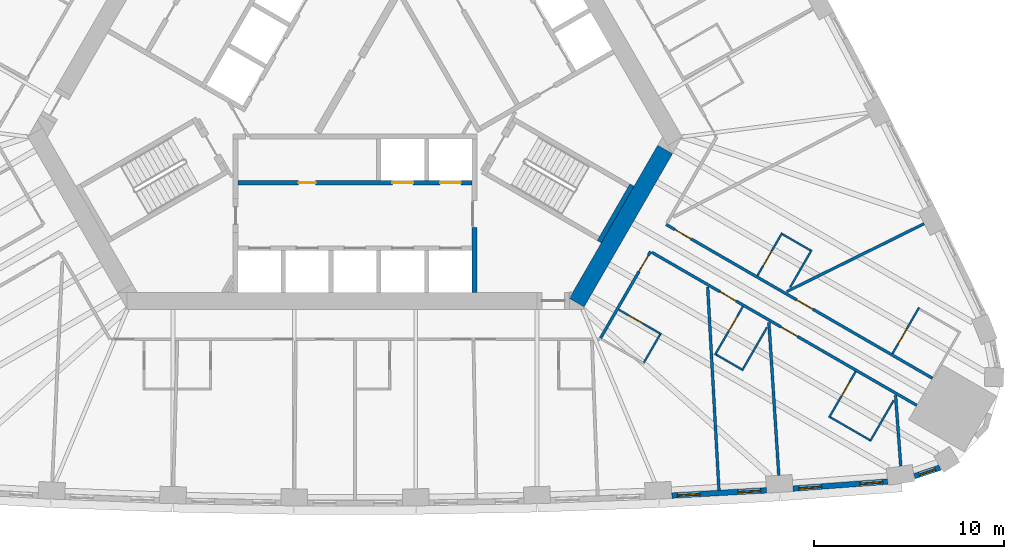
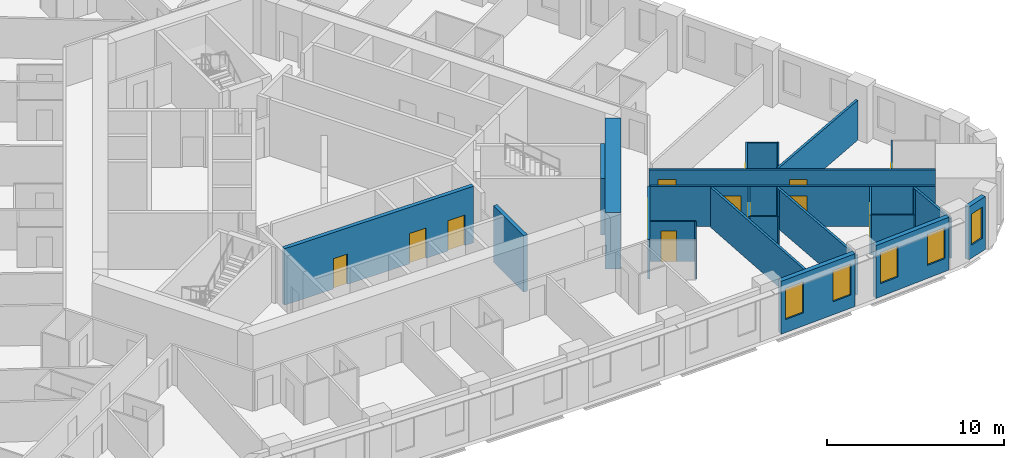
# One storey, part 7 of 13: 26 walls, 13 doors, 5 windows, 18 openings.
"""IFC4 building model written with IfcOpenShell, lengths in metres."""

from ifc_helpers import new_model, si_unit, direction, frame, frame_2d, origin, place, context, subcontext, project, spatial, rectangle, extrude, material, layer, layer_set, type_object, element, fill, save


model = new_model("IFC4")

# Units and contexts
model_context = context("Model", 3, precision=1e-05, world=origin(), true_north=direction((0.0, 1.0)))
body_context = subcontext(model_context, "Body", "Model", "MODEL_VIEW")
ifc_project = project(units=[si_unit("LENGTHUNIT", "METRE"), si_unit("AREAUNIT", "SQUARE_METRE"), si_unit("VOLUMEUNIT", "CUBIC_METRE"), si_unit("PLANEANGLEUNIT", "RADIAN"), si_unit("MASSUNIT", "GRAM", prefix="KILO")], contexts=[model_context])

# Site, building, storey
site_placement = place(None, origin())
site = spatial("IfcSite", under=ifc_project, at=site_placement, CompositionType="ELEMENT")
building_placement = place(site_placement, origin())
building = spatial("IfcBuilding", under=site, at=building_placement, Name="Mestral Congress Tower", CompositionType="ELEMENT")
storey_placement = place(building_placement, frame((0.0, 0.0, 35.39990234375)))
storey = spatial("IfcBuildingStorey", under=building, at=storey_placement, Name="L07", CompositionType="ELEMENT", Elevation=35.39990234375)

# Wall
ifc_material_1 = material(Name="Concrete C60/75", Category="concrete")
ifc_layer_1 = layer(ifc_material_1, 0.89990234375)
ifc_layer_set_1 = layer_set([ifc_layer_1], Name="Concrete C60/75")
wall_type_1 = type_object("IfcWallType", Name="Core wall RC 900", PredefinedType="SOLIDWALL", material=ifc_layer_set_1)
wall_1_placement = place(storey_placement, frame((11.69482421875, -12.643798828125, 0.0), z_axis=(0.0, 0.0, 1.0), x_axis=(0.500010229568, 0.86601949766, 0.0)))
element("IfcWall", 1, at=wall_1_placement, inside=storey, type_object=wall_type_1, Name="L07 core wall", PredefinedType="SOLIDWALL", context=body_context, shape_type="SweptSolid", body=[
    extrude(rectangle(XDim=9.326416015625, YDim=0.89990234375, at=frame_2d((4.6630859375, 0.0))), origin(), (0.0, 0.0, 1.0), 3.900146484375),
])

# Wall, openings, windows
ifc_material_2 = material(Name="Precast concrete C40/50 with limestone facing", Category="masonry")
ifc_layer_2 = layer(ifc_material_2, 0.2900390625)
ifc_layer_set_2 = layer_set([ifc_layer_2], Name="Precast concrete C40/50 with limestone facing")
wall_type_2 = type_object("IfcWallType", Name="Facade stone wall 290", PredefinedType="SOLIDWALL", material=ifc_layer_set_2)
wall_2_placement = place(storey_placement, frame((16.7109375, -22.823974609375, 0.0), z_axis=(0.0, 0.0, 1.0), x_axis=(0.998464708705, 0.055391564976, 0.0)))
wall_2 = element("IfcWall", 2, at=wall_2_placement, inside=storey, type_object=wall_type_2, Name="Facade wall F0-07", PredefinedType="SOLIDWALL", context=body_context, shape_type="SweptSolid", body=[
    extrude(rectangle(XDim=4.998046875, YDim=0.2900390625, at=frame_2d((2.4990234375, 0.0))), origin(), (0.0, 0.0, 1.0), 3.650146484375),
])
opening_1_placement = place(wall_2_placement, frame((0.297119140625, 0.0, 0.89990234375)))
opening_1 = element("IfcOpeningElement", 3, at=opening_1_placement, cuts=wall_2, Name="Opening W1", PredefinedType="OPENING", context=body_context, shape_type="SweptSolid", body=[
    extrude(rectangle(XDim=1.199951171875, YDim=2.14990234375, at=frame_2d((0.60009765625, 1.074951171875))), frame((0.0, 0.155029296875, 0.0), z_axis=(0.0, -1.0, 0.0), x_axis=(1.0, 0.0, 0.0)), (0.0, 0.0, 1.0), 0.31005859375),
])
opening_2_placement = place(wall_2_placement, frame((3.501220703125, 0.0, 0.89990234375)))
opening_2 = element("IfcOpeningElement", 4, at=opening_2_placement, cuts=wall_2, Name="Opening W1", PredefinedType="OPENING", context=body_context, shape_type="SweptSolid", body=[
    extrude(rectangle(XDim=1.199951171875, YDim=2.14990234375, at=frame_2d((0.60009765625, 1.074951171875))), frame((0.0, 0.155029296875, 0.0), z_axis=(0.0, -1.0, 0.0), x_axis=(1.0, 0.0, 0.0)), (0.0, 0.0, 1.0), 0.31005859375),
])
ifc_material_3 = material(Name="Clear low-emissivity double glazing", Category="glass")
window_type_1 = type_object("IfcWindowType", Name="Facade punched window 1200 x 2150 sill 900", PartitioningType="DOUBLE_PANEL_VERTICAL", PredefinedType="WINDOW", material=ifc_material_3)
window_1_placement = place(opening_1_placement, origin())
window_1 = element("IfcWindow", 5, at=window_1_placement, inside=storey, type_object=window_type_1, Name="Window F0-07a", OverallHeight=2.14990234375, OverallWidth=1.199951171875, PartitioningType="DOUBLE_PANEL_VERTICAL", PredefinedType="WINDOW", context=body_context, shape_type="SweptSolid", body=[
    extrude(rectangle(XDim=1.199951171875, YDim=2.14990234375, at=frame_2d((0.60009765625, 1.074951171875))), frame((0.0, 0.01513671875, 0.0), z_axis=(0.0, -1.0, 0.0), x_axis=(1.0, 0.0, 0.0)), (0.0, 0.0, 1.0), 0.06005859375),
])
fill(opening_1, window_1)
window_2_placement = place(opening_2_placement, origin())
window_2 = element("IfcWindow", 6, at=window_2_placement, inside=storey, type_object=window_type_1, Name="Window F0-07b", OverallHeight=2.14990234375, OverallWidth=1.199951171875, PartitioningType="DOUBLE_PANEL_VERTICAL", PredefinedType="WINDOW", context=body_context, shape_type="SweptSolid", body=[
    extrude(rectangle(XDim=1.199951171875, YDim=2.14990234375, at=frame_2d((0.60009765625, 1.074951171875))), frame((0.0, 0.01513671875, 0.0), z_axis=(0.0, -1.0, 0.0), x_axis=(1.0, 0.0, 0.0)), (0.0, 0.0, 1.0), 0.06005859375),
])
fill(opening_2, window_2)

wall_3_placement = place(storey_placement, frame((23.10595703125, -22.4560546875, 0.0), z_axis=(0.0, 0.0, 1.0), x_axis=(0.997266290399, 0.073891447643, 0.0)))
wall_3 = element("IfcWall", 7, at=wall_3_placement, inside=storey, type_object=wall_type_2, Name="Facade wall F0-08", PredefinedType="SOLIDWALL", context=body_context, shape_type="SweptSolid", body=[
    extrude(rectangle(XDim=5.005615234375, YDim=0.2900390625, at=frame_2d((2.5029296875, 0.0))), origin(), (0.0, 0.0, 1.0), 3.650146484375),
])
opening_3_placement = place(wall_3_placement, frame((0.31005859375, 0.0, 0.89990234375)))
opening_3 = element("IfcOpeningElement", 8, at=opening_3_placement, cuts=wall_3, Name="Opening W1", PredefinedType="OPENING", context=body_context, shape_type="SweptSolid", body=[
    extrude(rectangle(XDim=1.199951171875, YDim=2.14990234375, at=frame_2d((0.60009765625, 1.074951171875))), frame((0.0, 0.155029296875, 0.0), z_axis=(0.0, -1.0, 0.0), x_axis=(1.0, 0.0, 0.0)), (0.0, 0.0, 1.0), 0.31005859375),
])
opening_4_placement = place(wall_3_placement, frame((3.540283203125, 0.0, 0.89990234375)))
opening_4 = element("IfcOpeningElement", 9, at=opening_4_placement, cuts=wall_3, Name="Opening W1", PredefinedType="OPENING", context=body_context, shape_type="SweptSolid", body=[
    extrude(rectangle(XDim=1.199951171875, YDim=2.14990234375, at=frame_2d((0.60009765625, 1.074951171875))), frame((0.0, 0.155029296875, 0.0), z_axis=(0.0, -1.0, 0.0), x_axis=(1.0, 0.0, 0.0)), (0.0, 0.0, 1.0), 0.31005859375),
])
window_3_placement = place(opening_3_placement, origin())
window_3 = element("IfcWindow", 10, at=window_3_placement, inside=storey, type_object=window_type_1, Name="Window F0-08a", OverallHeight=2.14990234375, OverallWidth=1.199951171875, PartitioningType="DOUBLE_PANEL_VERTICAL", PredefinedType="WINDOW", context=body_context, shape_type="SweptSolid", body=[
    extrude(rectangle(XDim=1.199951171875, YDim=2.14990234375, at=frame_2d((0.60009765625, 1.074951171875))), frame((0.0, 0.01513671875, 0.0), z_axis=(0.0, -1.0, 0.0), x_axis=(1.0, 0.0, 0.0)), (0.0, 0.0, 1.0), 0.06005859375),
])
fill(opening_3, window_3)
window_4_placement = place(opening_4_placement, origin())
window_4 = element("IfcWindow", 11, at=window_4_placement, inside=storey, type_object=window_type_1, Name="Window F0-08b", OverallHeight=2.14990234375, OverallWidth=1.199951171875, PartitioningType="DOUBLE_PANEL_VERTICAL", PredefinedType="WINDOW", context=body_context, shape_type="SweptSolid", body=[
    extrude(rectangle(XDim=1.199951171875, YDim=2.14990234375, at=frame_2d((0.60009765625, 1.074951171875))), frame((0.0, 0.01513671875, 0.0), z_axis=(0.0, -1.0, 0.0), x_axis=(1.0, 0.0, 0.0)), (0.0, 0.0, 1.0), 0.06005859375),
])
fill(opening_4, window_4)

# Wall, opening, window
wall_4_placement = place(storey_placement, frame((29.51171875, -21.80224609375, 0.0), z_axis=(0.0, 0.0, 1.0), x_axis=(0.947903891592, 0.318556450734, 0.0)))
wall_4 = element("IfcWall", 12, at=wall_4_placement, inside=storey, type_object=wall_type_2, Name="Facade wall K0-0", PredefinedType="SOLIDWALL", context=body_context, shape_type="SweptSolid", body=[
    extrude(rectangle(XDim=1.414794921875, YDim=0.2900390625, at=frame_2d((0.70751953125, 0.0))), origin(), (0.0, 0.0, 1.0), 3.650146484375),
])
opening_5_placement = place(wall_4_placement, frame((0.25732421875, 0.0, 0.89990234375)))
opening_5 = element("IfcOpeningElement", 13, at=opening_5_placement, cuts=wall_4, Name="Opening W3", PredefinedType="OPENING", context=body_context, shape_type="SweptSolid", body=[
    extrude(rectangle(XDim=0.89990234375, YDim=2.14990234375, at=frame_2d((0.449951171875, 1.074951171875))), frame((0.0, 0.155029296875, 0.0), z_axis=(0.0, -1.0, 0.0), x_axis=(1.0, 0.0, 0.0)), (0.0, 0.0, 1.0), 0.31005859375),
])
window_type_2 = type_object("IfcWindowType", Name="Facade punched window 900 x 2150 sill 900", PartitioningType="SINGLE_PANEL", PredefinedType="WINDOW", material=ifc_material_3)
window_5_placement = place(opening_5_placement, origin())
window_5 = element("IfcWindow", 14, at=window_5_placement, inside=storey, type_object=window_type_2, Name="Window K0-0", OverallHeight=2.14990234375, OverallWidth=0.89990234375, PartitioningType="SINGLE_PANEL", PredefinedType="WINDOW", context=body_context, shape_type="SweptSolid", body=[
    extrude(rectangle(XDim=0.89990234375, YDim=2.14990234375, at=frame_2d((0.449951171875, 1.074951171875))), frame((0.0, 0.01513671875, 0.0), z_axis=(0.0, -1.0, 0.0), x_axis=(1.0, 0.0, 0.0)), (0.0, 0.0, 1.0), 0.06005859375),
])
fill(opening_5, window_5)

# Wall, opening, door
ifc_material_4 = material(Name="Gypsum board partition on metal studs with mineral wool", Category="composite")
ifc_layer_3 = layer(ifc_material_4, 0.10009765625)
ifc_layer_set_3 = layer_set([ifc_layer_3], Name="Gypsum board partition on metal studs with mineral wool")
wall_type_3 = type_object("IfcWallType", Name="Hotel partition wall 100", PredefinedType="PARTITIONING", material=ifc_layer_set_3)
wall_5_placement = place(storey_placement, frame((16.159912109375, -14.310302734375, 0.0), z_axis=(0.0, 0.0, 1.0), x_axis=(-0.866062058628, 0.499936506574, 0.0)))
wall_5 = element("IfcWall", 15, at=wall_5_placement, inside=storey, type_object=wall_type_3, Name="L07-h-pod08a", PredefinedType="PARTITIONING", context=body_context, shape_type="SweptSolid", body=[
    extrude(rectangle(XDim=2.599853515625, YDim=0.10009765625, at=frame_2d((1.2998046875, 0.0))), origin(), (0.0, 0.0, 1.0), 2.75),
])
opening_6_placement = place(wall_5_placement, frame((1.10009765625, 0.0, 0.0)))
opening_6 = element("IfcOpeningElement", 16, at=opening_6_placement, cuts=wall_5, Name="Opening H01-015", PredefinedType="OPENING", context=body_context, shape_type="SweptSolid", body=[
    extrude(rectangle(XDim=0.89990234375, YDim=2.10009765625, at=frame_2d((0.449951171875, 1.050048828125))), frame((0.0, 0.06005859375, 0.0), z_axis=(0.0, -1.0, 0.0), x_axis=(1.0, 0.0, 0.0)), (0.0, 0.0, 1.0), 0.1201171875),
])
ifc_material_5 = material(Name="Timber veneer door leaf in timber frame", Category="wood")
door_type_1 = type_object("IfcDoorType", Name="Bathroom door 900", OperationType="SINGLE_SWING_LEFT", PredefinedType="DOOR", material=ifc_material_5)
door_1_placement = place(opening_6_placement, origin())
door_1 = element("IfcDoor", 17, at=door_1_placement, inside=storey, type_object=door_type_1, Name="L07-h-d015", OperationType="SINGLE_SWING_LEFT", OverallHeight=2.10009765625, OverallWidth=0.89990234375, PredefinedType="DOOR", context=body_context, shape_type="SweptSolid", body=[
    extrude(rectangle(XDim=0.89990234375, YDim=2.10009765625, at=frame_2d((0.449951171875, 1.050048828125))), frame((0.0, 0.02490234375, 0.0), z_axis=(0.0, -1.0, 0.0), x_axis=(1.0, 0.0, 0.0)), (0.0, 0.0, 1.0), 0.050048828125),
])
fill(opening_6, door_1)

# Wall
wall_6_placement = place(storey_placement, frame((16.091552734375, -14.32861328125, 0.0), z_axis=(0.0, 0.0, 1.0), x_axis=(-0.500062241894, -0.865989465428, 0.0)))
element("IfcWall", 18, at=wall_6_placement, inside=storey, type_object=wall_type_3, Name="L07-h-pod08b", PredefinedType="PARTITIONING", context=body_context, shape_type="SweptSolid", body=[
    extrude(rectangle(XDim=1.699951171875, YDim=0.10009765625, at=frame_2d((0.85009765625, 0.0))), origin(), (0.0, 0.0, 1.0), 2.75),
])

# Wall, opening, door
wall_7_placement = place(storey_placement, frame((20.4609375, -12.852294921875, 0.0), z_axis=(0.0, 0.0, 1.0), x_axis=(-0.49997559174, -0.866039495442, 0.0)))
wall_7 = element("IfcWall", 19, at=wall_7_placement, inside=storey, type_object=wall_type_3, Name="L07-h-pod09a", PredefinedType="PARTITIONING", context=body_context, shape_type="SweptSolid", body=[
    extrude(rectangle(XDim=2.949951171875, YDim=0.10009765625, at=frame_2d((1.47509765625, 0.0))), origin(), (0.0, 0.0, 1.0), 2.75),
])
opening_7_placement = place(wall_7_placement, frame((0.60009765625, 0.0, 0.0)))
opening_7 = element("IfcOpeningElement", 20, at=opening_7_placement, cuts=wall_7, Name="Opening H01-017", PredefinedType="OPENING", context=body_context, shape_type="SweptSolid", body=[
    extrude(rectangle(XDim=0.89990234375, YDim=2.10009765625, at=frame_2d((0.449951171875, 1.050048828125))), frame((0.0, 0.06005859375, 0.0), z_axis=(0.0, -1.0, 0.0), x_axis=(1.0, 0.0, 0.0)), (0.0, 0.0, 1.0), 0.1201171875),
])
door_2_placement = place(opening_7_placement, origin())
door_2 = element("IfcDoor", 21, at=door_2_placement, inside=storey, type_object=door_type_1, Name="L07-h-d017", OperationType="SINGLE_SWING_RIGHT", OverallHeight=2.10009765625, OverallWidth=0.89990234375, PredefinedType="DOOR", context=body_context, shape_type="SweptSolid", body=[
    extrude(rectangle(XDim=0.89990234375, YDim=2.10009765625, at=frame_2d((0.449951171875, 1.050048828125))), frame((0.0, 0.02490234375, 0.0), z_axis=(0.0, -1.0, 0.0), x_axis=(1.0, 0.0, 0.0)), (0.0, 0.0, 1.0), 0.050048828125),
])
fill(opening_7, door_2)

# Walls
wall_8_placement = place(storey_placement, frame((19.05419921875, -15.388916015625, 0.0), z_axis=(0.0, 0.0, 1.0), x_axis=(0.866043940782, -0.499967891604, 0.0)))
element("IfcWall", 22, at=wall_8_placement, inside=storey, type_object=wall_type_3, Name="L07-h-pod09b", PredefinedType="PARTITIONING", context=body_context, shape_type="SweptSolid", body=[
    extrude(rectangle(XDim=1.5498046875, YDim=0.10009765625, at=frame_2d((0.77490234375, 0.0))), origin(), (0.0, 0.0, 1.0), 2.75),
])
wall_9_placement = place(storey_placement, frame((21.73486328125, -13.94580078125, 0.0), z_axis=(0.0, 0.0, 1.0), x_axis=(-0.500007957085, -0.86602080971, 0.0)))
element("IfcWall", 23, at=wall_9_placement, inside=storey, type_object=wall_type_3, Name="L07-h-pod09c", PredefinedType="PARTITIONING", context=body_context, shape_type="SweptSolid", body=[
    extrude(rectangle(XDim=2.64013671875, YDim=0.10009765625, at=frame_2d((1.320068359375, 0.0))), origin(), (0.0, 0.0, 1.0), 2.75),
])

# Wall, opening, door
wall_10_placement = place(storey_placement, frame((26.40478515625, -16.2841796875, 0.0), z_axis=(0.0, 0.0, 1.0), x_axis=(-0.49998411664, -0.866034573852, 0.0)))
wall_10 = element("IfcWall", 24, at=wall_10_placement, inside=storey, type_object=wall_type_3, Name="L07-h-pod10a", PredefinedType="PARTITIONING", context=body_context, shape_type="SweptSolid", body=[
    extrude(rectangle(XDim=2.7998046875, YDim=0.10009765625, at=frame_2d((1.39990234375, 0.0))), origin(), (0.0, 0.0, 1.0), 2.75),
])
opening_8_placement = place(wall_10_placement, frame((0.60009765625, 0.0, 0.0)))
opening_8 = element("IfcOpeningElement", 25, at=opening_8_placement, cuts=wall_10, Name="Opening H01-019", PredefinedType="OPENING", context=body_context, shape_type="SweptSolid", body=[
    extrude(rectangle(XDim=0.89990234375, YDim=2.10009765625, at=frame_2d((0.449951171875, 1.050048828125))), frame((0.0, 0.06005859375, 0.0), z_axis=(0.0, -1.0, 0.0), x_axis=(1.0, 0.0, 0.0)), (0.0, 0.0, 1.0), 0.1201171875),
])
door_3_placement = place(opening_8_placement, origin())
door_3 = element("IfcDoor", 26, at=door_3_placement, inside=storey, type_object=door_type_1, Name="L07-h-d019", OperationType="SINGLE_SWING_LEFT", OverallHeight=2.10009765625, OverallWidth=0.89990234375, PredefinedType="DOOR", context=body_context, shape_type="SweptSolid", body=[
    extrude(rectangle(XDim=0.89990234375, YDim=2.10009765625, at=frame_2d((0.449951171875, 1.050048828125))), frame((0.0, 0.02490234375, 0.0), z_axis=(0.0, -1.0, 0.0), x_axis=(1.0, 0.0, 0.0)), (0.0, 0.0, 1.0), 0.050048828125),
])
fill(opening_8, door_3)

# Walls
wall_11_placement = place(storey_placement, frame((25.0732421875, -18.690673828125, 0.0), z_axis=(0.0, 0.0, 1.0), x_axis=(0.866024647952, -0.500001309137, 0.0)))
element("IfcWall", 27, at=wall_11_placement, inside=storey, type_object=wall_type_3, Name="L07-h-pod10b", PredefinedType="PARTITIONING", context=body_context, shape_type="SweptSolid", body=[
    extrude(rectangle(XDim=2.39990234375, YDim=0.10009765625, at=frame_2d((1.199951171875, 0.0))), origin(), (0.0, 0.0, 1.0), 2.75),
])
wall_12_placement = place(storey_placement, frame((28.414794921875, -17.802490234375, 0.0), z_axis=(0.0, 0.0, 1.0), x_axis=(-0.499945955465, -0.866056604163, 0.0)))
element("IfcWall", 28, at=wall_12_placement, inside=storey, type_object=wall_type_3, Name="L07-h-pod10c", PredefinedType="PARTITIONING", context=body_context, shape_type="SweptSolid", body=[
    extrude(rectangle(XDim=2.489990234375, YDim=0.10009765625, at=frame_2d((1.2451171875, 0.0))), origin(), (0.0, 0.0, 1.0), 2.75),
])

# Wall, opening, door
wall_13_placement = place(storey_placement, frame((29.75244140625, -12.9052734375, 0.0), z_axis=(0.0, 0.0, 1.0), x_axis=(-0.500049511043, -0.865996816683, 0.0)))
wall_13 = element("IfcWall", 29, at=wall_13_placement, inside=storey, type_object=wall_type_3, Name="L07-h-pod11a", PredefinedType="PARTITIONING", context=body_context, shape_type="SweptSolid", body=[
    extrude(rectangle(XDim=2.800048828125, YDim=0.10009765625, at=frame_2d((1.39990234375, 0.0))), origin(), (0.0, 0.0, 1.0), 2.75),
])
opening_9_placement = place(wall_13_placement, frame((1.300048828125, 0.0, 0.0)))
opening_9 = element("IfcOpeningElement", 30, at=opening_9_placement, cuts=wall_13, Name="Opening H01-021", PredefinedType="OPENING", context=body_context, shape_type="SweptSolid", body=[
    extrude(rectangle(XDim=0.89990234375, YDim=2.10009765625, at=frame_2d((0.449951171875, 1.050048828125))), frame((0.0, 0.06005859375, 0.0), z_axis=(0.0, -1.0, 0.0), x_axis=(1.0, 0.0, 0.0)), (0.0, 0.0, 1.0), 0.1201171875),
])
door_4_placement = place(opening_9_placement, origin())
door_4 = element("IfcDoor", 31, at=door_4_placement, inside=storey, type_object=door_type_1, Name="L07-h-d021", OperationType="SINGLE_SWING_LEFT", OverallHeight=2.10009765625, OverallWidth=0.89990234375, PredefinedType="DOOR", context=body_context, shape_type="SweptSolid", body=[
    extrude(rectangle(XDim=0.89990234375, YDim=2.10009765625, at=frame_2d((0.449951171875, 1.050048828125))), frame((0.0, 0.02490234375, 0.0), z_axis=(0.0, -1.0, 0.0), x_axis=(1.0, 0.0, 0.0)), (0.0, 0.0, 1.0), 0.050048828125),
])
fill(opening_9, door_4)

wall_14_placement = place(storey_placement, frame((22.5302734375, -8.96630859375, 0.0), z_axis=(0.0, 0.0, 1.0), x_axis=(-0.500006934395, -0.866021400173, 0.0)))
wall_14 = element("IfcWall", 32, at=wall_14_placement, inside=storey, type_object=wall_type_3, Name="L07-h-pod12a", PredefinedType="PARTITIONING", context=body_context, shape_type="SweptSolid", body=[
    extrude(rectangle(XDim=2.60009765625, YDim=0.10009765625, at=frame_2d((1.300048828125, 0.0))), origin(), (0.0, 0.0, 1.0), 2.75),
])
opening_10_placement = place(wall_14_placement, frame((1.10009765625, 0.0, 0.0)))
opening_10 = element("IfcOpeningElement", 33, at=opening_10_placement, cuts=wall_14, Name="Opening H01-023", PredefinedType="OPENING", context=body_context, shape_type="SweptSolid", body=[
    extrude(rectangle(XDim=0.89990234375, YDim=2.10009765625, at=frame_2d((0.449951171875, 1.050048828125))), frame((0.0, 0.06005859375, 0.0), z_axis=(0.0, -1.0, 0.0), x_axis=(1.0, 0.0, 0.0)), (0.0, 0.0, 1.0), 0.1201171875),
])
door_5_placement = place(opening_10_placement, origin())
door_5 = element("IfcDoor", 34, at=door_5_placement, inside=storey, type_object=door_type_1, Name="L07-h-d023", OperationType="SINGLE_SWING_RIGHT", OverallHeight=2.10009765625, OverallWidth=0.89990234375, PredefinedType="DOOR", context=body_context, shape_type="SweptSolid", body=[
    extrude(rectangle(XDim=0.89990234375, YDim=2.10009765625, at=frame_2d((0.449951171875, 1.050048828125))), frame((0.0, 0.02490234375, 0.0), z_axis=(0.0, -1.0, 0.0), x_axis=(1.0, 0.0, 0.0)), (0.0, 0.0, 1.0), 0.050048828125),
])
fill(opening_10, door_5)

# Walls
wall_15_placement = place(storey_placement, frame((22.548583984375, -9.03466796875, 0.0), z_axis=(0.0, 0.0, 1.0), x_axis=(0.86605165483, -0.499954529098, 0.0)))
element("IfcWall", 35, at=wall_15_placement, inside=storey, type_object=wall_type_3, Name="L07-h-pod12b", PredefinedType="PARTITIONING", context=body_context, shape_type="SweptSolid", body=[
    extrude(rectangle(XDim=1.699951171875, YDim=0.10009765625, at=frame_2d((0.85009765625, 0.0))), origin(), (0.0, 0.0, 1.0), 2.75),
])
wall_16_placement = place(storey_placement, frame((22.944091796875, -11.849609375, 0.0), z_axis=(0.0, 0.0, 1.0), x_axis=(0.499968531483, 0.866043571379, 0.0)))
element("IfcWall", 36, at=wall_16_placement, inside=storey, type_object=wall_type_3, Name="L07-h-pod12c", PredefinedType="PARTITIONING", context=body_context, shape_type="SweptSolid", body=[
    extrude(rectangle(XDim=2.290283203125, YDim=0.10009765625, at=frame_2d((1.14501953125, 0.0))), origin(), (0.0, 0.0, 1.0), 2.75),
])

# Wall, openings, doors
ifc_layer_4 = layer(ifc_material_4, 0.14990234375)
ifc_layer_set_4 = layer_set([ifc_layer_4], Name="Gypsum board partition on metal studs with mineral wool")
wall_type_4 = type_object("IfcWallType", Name="Hotel partition wall 150", PredefinedType="PARTITIONING", material=ifc_layer_set_4)
wall_17_placement = place(storey_placement, frame((16.412353515625, -8.52294921875, 0.0), z_axis=(0.0, 0.0, 1.0), x_axis=(0.866022197818, -0.500005552856, 0.0)))
wall_17 = element("IfcWall", 37, at=wall_17_placement, inside=storey, type_object=wall_type_4, Name="L07-h-cw01", PredefinedType="PARTITIONING", context=body_context, shape_type="SweptSolid", body=[
    extrude(rectangle(XDim=16.223876953125, YDim=0.14990234375, at=frame_2d((8.11181640625, 0.0))), origin(), (0.0, 0.0, 1.0), 2.75),
])
opening_11_placement = place(wall_17_placement, frame((7.94921875, 0.0, 0.0)))
opening_11 = element("IfcOpeningElement", 38, at=opening_11_placement, cuts=wall_17, Name="Opening H01-020", PredefinedType="OPENING", context=body_context, shape_type="SweptSolid", body=[
    extrude(rectangle(XDim=1.0, YDim=2.10009765625, at=frame_2d((0.5, 1.050048828125))), frame((0.0, 0.0849609375, 0.0), z_axis=(0.0, -1.0, 0.0), x_axis=(1.0, 0.0, 0.0)), (0.0, 0.0, 1.0), 0.169921875),
])
opening_12_placement = place(wall_17_placement, frame((0.526123046875, 0.0, 0.0)))
opening_12 = element("IfcOpeningElement", 39, at=opening_12_placement, cuts=wall_17, Name="Opening H01-022", PredefinedType="OPENING", context=body_context, shape_type="SweptSolid", body=[
    extrude(rectangle(XDim=1.0, YDim=2.10009765625, at=frame_2d((0.5, 1.050048828125))), frame((0.0, 0.0849609375, 0.0), z_axis=(0.0, -1.0, 0.0), x_axis=(1.0, 0.0, 0.0)), (0.0, 0.0, 1.0), 0.169921875),
])
ifc_material_6 = material(Name="Timber veneer door leaf in metal frame", Category="wood")
door_type_2 = type_object("IfcDoorType", Name="Guest room entrance door 1000", OperationType="SINGLE_SWING_LEFT", PredefinedType="DOOR", material=ifc_material_6)
door_6_placement = place(opening_11_placement, origin())
door_6 = element("IfcDoor", 40, at=door_6_placement, inside=storey, type_object=door_type_2, Name="L07-h-d020", OperationType="SINGLE_SWING_LEFT", OverallHeight=2.10009765625, OverallWidth=1.0, PredefinedType="DOOR", context=body_context, shape_type="SweptSolid", body=[
    extrude(rectangle(XDim=1.0, YDim=2.10009765625, at=frame_2d((0.5, 1.050048828125))), frame((0.0, 0.02490234375, 0.0), z_axis=(0.0, -1.0, 0.0), x_axis=(1.0, 0.0, 0.0)), (0.0, 0.0, 1.0), 0.050048828125),
])
fill(opening_11, door_6)
door_7_placement = place(opening_12_placement, origin())
door_7 = element("IfcDoor", 41, at=door_7_placement, inside=storey, type_object=door_type_2, Name="L07-h-d022", OperationType="SINGLE_SWING_LEFT", OverallHeight=2.10009765625, OverallWidth=1.0, PredefinedType="DOOR", context=body_context, shape_type="SweptSolid", body=[
    extrude(rectangle(XDim=1.0, YDim=2.10009765625, at=frame_2d((0.5, 1.050048828125))), frame((0.0, 0.02490234375, 0.0), z_axis=(0.0, -1.0, 0.0), x_axis=(1.0, 0.0, 0.0)), (0.0, 0.0, 1.0), 0.050048828125),
])
fill(opening_12, door_7)

# Wall, opening, door
wall_18_placement = place(storey_placement, frame((15.58740234375, -9.951904296875, 0.0), z_axis=(0.0, 0.0, 1.0), x_axis=(-0.500016618951, -0.866015808616, 0.0)))
wall_18 = element("IfcWall", 42, at=wall_18_placement, inside=storey, type_object=wall_type_4, Name="L07-h-cw14", PredefinedType="PARTITIONING", context=body_context, shape_type="SweptSolid", body=[
    extrude(rectangle(XDim=5.268310546875, YDim=0.14990234375, at=frame_2d((2.63427734375, 0.0))), origin(), (0.0, 0.0, 1.0), 2.75),
])
opening_13_placement = place(wall_18_placement, frame((0.225341796875, 0.0, 0.0)))
opening_13 = element("IfcOpeningElement", 43, at=opening_13_placement, cuts=wall_18, Name="Opening H01-014", PredefinedType="OPENING", context=body_context, shape_type="SweptSolid", body=[
    extrude(rectangle(XDim=1.0, YDim=2.10009765625, at=frame_2d((0.5, 1.050048828125))), frame((0.0, 0.0849609375, 0.0), z_axis=(0.0, -1.0, 0.0), x_axis=(1.0, 0.0, 0.0)), (0.0, 0.0, 1.0), 0.169921875),
])
door_8_placement = place(opening_13_placement, origin())
door_8 = element("IfcDoor", 44, at=door_8_placement, inside=storey, type_object=door_type_2, Name="L07-h-d014", OperationType="SINGLE_SWING_LEFT", OverallHeight=2.10009765625, OverallWidth=1.0, PredefinedType="DOOR", context=body_context, shape_type="SweptSolid", body=[
    extrude(rectangle(XDim=1.0, YDim=2.10009765625, at=frame_2d((0.5, 1.050048828125))), frame((0.0, 0.02490234375, 0.0), z_axis=(0.0, -1.0, 0.0), x_axis=(1.0, 0.0, 0.0)), (0.0, 0.0, 1.0), 0.050048828125),
])
fill(opening_13, door_8)

# Wall, openings, doors
wall_19_placement = place(storey_placement, frame((29.6376953125, -18.06396484375, 0.0), z_axis=(0.0, 0.0, 1.0), x_axis=(-0.866026175601, 0.499998663172, 0.0)))
wall_19 = element("IfcWall", 45, at=wall_19_placement, inside=storey, type_object=wall_type_4, Name="L07-h-cw15", PredefinedType="PARTITIONING", context=body_context, shape_type="SweptSolid", body=[
    extrude(rectangle(XDim=16.14404296875, YDim=0.14990234375, at=frame_2d((8.072021484375, 0.0))), origin(), (0.0, 0.0, 1.0), 2.75),
])
opening_14_placement = place(wall_19_placement, frame((11.003662109375, 0.0, 0.0)))
opening_14 = element("IfcOpeningElement", 46, at=opening_14_placement, cuts=wall_19, Name="Opening H01-016", PredefinedType="OPENING", context=body_context, shape_type="SweptSolid", body=[
    extrude(rectangle(XDim=1.0, YDim=2.10009765625, at=frame_2d((0.5, 1.050048828125))), frame((0.0, 0.0849609375, 0.0), z_axis=(0.0, -1.0, 0.0), x_axis=(1.0, 0.0, 0.0)), (0.0, 0.0, 1.0), 0.169921875),
])
opening_15_placement = place(wall_19_placement, frame((7.275146484375, 0.0, 0.0)))
opening_15 = element("IfcOpeningElement", 47, at=opening_15_placement, cuts=wall_19, Name="Opening H01-018", PredefinedType="OPENING", context=body_context, shape_type="SweptSolid", body=[
    extrude(rectangle(XDim=1.0, YDim=2.10009765625, at=frame_2d((0.5, 1.050048828125))), frame((0.0, 0.0849609375, 0.0), z_axis=(0.0, -1.0, 0.0), x_axis=(1.0, 0.0, 0.0)), (0.0, 0.0, 1.0), 0.169921875),
])
door_9_placement = place(opening_14_placement, origin())
door_9 = element("IfcDoor", 48, at=door_9_placement, inside=storey, type_object=door_type_2, Name="L07-h-d016", OperationType="SINGLE_SWING_RIGHT", OverallHeight=2.10009765625, OverallWidth=1.0, PredefinedType="DOOR", context=body_context, shape_type="SweptSolid", body=[
    extrude(rectangle(XDim=1.0, YDim=2.10009765625, at=frame_2d((0.5, 1.050048828125))), frame((0.0, 0.02490234375, 0.0), z_axis=(0.0, -1.0, 0.0), x_axis=(1.0, 0.0, 0.0)), (0.0, 0.0, 1.0), 0.050048828125),
])
fill(opening_14, door_9)
door_10_placement = place(opening_15_placement, origin())
door_10 = element("IfcDoor", 49, at=door_10_placement, inside=storey, type_object=door_type_2, Name="L07-h-d018", OperationType="SINGLE_SWING_RIGHT", OverallHeight=2.10009765625, OverallWidth=1.0, PredefinedType="DOOR", context=body_context, shape_type="SweptSolid", body=[
    extrude(rectangle(XDim=1.0, YDim=2.10009765625, at=frame_2d((0.5, 1.050048828125))), frame((0.0, 0.02490234375, 0.0), z_axis=(0.0, -1.0, 0.0), x_axis=(1.0, 0.0, 0.0)), (0.0, 0.0, 1.0), 0.050048828125),
])
fill(opening_15, door_10)

# Walls
wall_20_placement = place(storey_placement, frame((19.1982421875, -22.540771484375, 0.0), z_axis=(0.0, 0.0, 1.0), x_axis=(-0.055432210572, 0.99846245299, 0.0)))
element("IfcWall", 50, at=wall_20_placement, inside=storey, type_object=wall_type_4, Name="L07-h-pw27", PredefinedType="PARTITIONING", context=body_context, shape_type="SweptSolid", body=[
    extrude(rectangle(XDim=10.72900390625, YDim=0.14990234375, at=frame_2d((5.364501953125, 0.0))), origin(), (0.0, 0.0, 1.0), 2.75),
])
for number, where, z_axis, x_axis, name in (
    (51, (22.355224609375, -21.75439453125, 0.0), (0.0, 0.0, 1.0), (-0.064639533143, 0.997908678565, 0.0), "L07-h-pw28"),
    (52, (30.017578125, -8.48291015625, 0.0), (0.0, 0.0, 1.0), (-0.896544505264, -0.44295366584, 0.0), "L07-h-pw29"),
):
    element("IfcWall", number, at=place(storey_placement, frame(where, z_axis=z_axis, x_axis=x_axis)), inside=storey, type_object=wall_type_4, Name=name, PredefinedType="PARTITIONING", context=body_context, shape_type="SweptSolid", body=[
        extrude(rectangle(XDim=8.078857421875, YDim=0.14990234375, at=frame_2d((4.03955078125, 0.0))), origin(), (0.0, 0.0, 1.0), 2.75),
    ])
wall_21_placement = place(storey_placement, frame((28.78955078125, -21.272705078125, 0.0), z_axis=(0.0, 0.0, 1.0), x_axis=(-0.07382592098, 0.997271143366, 0.0)))
element("IfcWall", 53, at=wall_21_placement, inside=storey, type_object=wall_type_4, Name="L07-h-pw30", PredefinedType="PARTITIONING", context=body_context, shape_type="SweptSolid", body=[
    extrude(rectangle(XDim=3.733642578125, YDim=0.14990234375, at=frame_2d((1.86669921875, 0.0))), origin(), (0.0, 0.0, 1.0), 2.75),
])
ifc_layer_5 = layer(ifc_material_1, 0.25)
ifc_layer_set_5 = layer_set([ifc_layer_5], Name="Concrete C60/75")
wall_type_5 = type_object("IfcWallType", Name="Shaft wall RC 250", PredefinedType="SOLIDWALL", material=ifc_layer_set_5)
wall_22_placement = place(storey_placement, frame((6.300048828125, -8.669921875, 0.0), z_axis=(0.0, 0.0, 1.0), x_axis=(0.0, -1.0, 0.0)))
element("IfcWall", 54, at=wall_22_placement, inside=storey, type_object=wall_type_5, Name="L07 core wall", PredefinedType="SOLIDWALL", context=body_context, shape_type="SweptSolid", body=[
    extrude(rectangle(XDim=3.43017578125, YDim=0.25, at=frame_2d((1.715087890625, 0.0))), origin(), (0.0, 0.0, 1.0), 3.900146484375),
])

# Wall, openings, doors
wall_23_placement = place(storey_placement, frame((-6.175048828125, -6.324951171875, 0.0), z_axis=(0.0, 0.0, 1.0), x_axis=(1.0, 0.0, 0.0)))
wall_23 = element("IfcWall", 55, at=wall_23_placement, inside=storey, type_object=wall_type_5, Name="L07 door wall", PredefinedType="SOLIDWALL", context=body_context, shape_type="SweptSolid", body=[
    extrude(rectangle(XDim=12.35009765625, YDim=0.25, at=frame_2d((6.175048828125, 0.0))), origin(), (0.0, 0.0, 1.0), 3.900146484375),
])
opening_16_placement = place(wall_23_placement, frame((3.205078125, 0.0, 0.0)))
opening_16 = element("IfcOpeningElement", 56, at=opening_16_placement, cuts=wall_23, Name="Opening SR-SOB1", PredefinedType="OPENING", context=body_context, shape_type="SweptSolid", body=[
    extrude(rectangle(XDim=0.89990234375, YDim=2.10009765625, at=frame_2d((0.449951171875, 1.050048828125))), frame((0.0, 0.135009765625, 0.0), z_axis=(0.0, -1.0, 0.0), x_axis=(1.0, 0.0, 0.0)), (0.0, 0.0, 1.0), 0.27001953125),
])
opening_17_placement = place(wall_23_placement, frame((8.14501953125, 0.0, 0.0)))
opening_17 = element("IfcOpeningElement", 57, at=opening_17_placement, cuts=wall_23, Name="Opening LD-SOB4", PredefinedType="OPENING", context=body_context, shape_type="SweptSolid", body=[
    extrude(rectangle(XDim=1.10009765625, YDim=2.10009765625, at=frame_2d((0.550048828125, 1.050048828125))), frame((0.0, 0.135009765625, 0.0), z_axis=(0.0, -1.0, 0.0), x_axis=(1.0, 0.0, 0.0)), (0.0, 0.0, 1.0), 0.27001953125),
])
opening_18_placement = place(wall_23_placement, frame((10.6650390625, 0.0, 0.0)))
opening_18 = element("IfcOpeningElement", 58, at=opening_18_placement, cuts=wall_23, Name="Opening LD-SOB5", PredefinedType="OPENING", context=body_context, shape_type="SweptSolid", body=[
    extrude(rectangle(XDim=1.10009765625, YDim=2.10009765625, at=frame_2d((0.550048828125, 1.050048828125))), frame((0.0, 0.135009765625, 0.0), z_axis=(0.0, -1.0, 0.0), x_axis=(1.0, 0.0, 0.0)), (0.0, 0.0, 1.0), 0.27001953125),
])
ifc_material_7 = material(Name="Fire-rated steel door set", Category="steel")
door_type_3 = type_object("IfcDoorType", Name="Core door LD 1100x2100", OperationType="DOUBLE_DOOR_SLIDING", PredefinedType="DOOR", material=ifc_material_7)
door_11_placement = place(opening_17_placement, origin())
door_11 = element("IfcDoor", 59, at=door_11_placement, inside=storey, type_object=door_type_3, Name="Door LD-SOB4", OperationType="DOUBLE_DOOR_SLIDING", OverallHeight=2.10009765625, OverallWidth=1.10009765625, PredefinedType="DOOR", context=body_context, shape_type="SweptSolid", body=[
    extrude(rectangle(XDim=1.10009765625, YDim=2.10009765625, at=frame_2d((0.550048828125, 1.050048828125))), frame((0.0, 0.02490234375, 0.0), z_axis=(0.0, -1.0, 0.0), x_axis=(1.0, 0.0, 0.0)), (0.0, 0.0, 1.0), 0.050048828125),
])
fill(opening_17, door_11)
door_12_placement = place(opening_18_placement, origin())
door_12 = element("IfcDoor", 60, at=door_12_placement, inside=storey, type_object=door_type_3, Name="Door LD-SOB5", OperationType="DOUBLE_DOOR_SLIDING", OverallHeight=2.10009765625, OverallWidth=1.10009765625, PredefinedType="DOOR", context=body_context, shape_type="SweptSolid", body=[
    extrude(rectangle(XDim=1.10009765625, YDim=2.10009765625, at=frame_2d((0.550048828125, 1.050048828125))), frame((0.0, 0.02490234375, 0.0), z_axis=(0.0, -1.0, 0.0), x_axis=(1.0, 0.0, 0.0)), (0.0, 0.0, 1.0), 0.050048828125),
])
fill(opening_18, door_12)
door_type_4 = type_object("IfcDoorType", Name="Core door SR 900x2100", OperationType="SINGLE_SWING_LEFT", PredefinedType="DOOR", material=ifc_material_7)
door_13_placement = place(opening_16_placement, origin())
door_13 = element("IfcDoor", 61, at=door_13_placement, inside=storey, type_object=door_type_4, Name="Door SR-SOB1", OperationType="SINGLE_SWING_LEFT", OverallHeight=2.10009765625, OverallWidth=0.89990234375, PredefinedType="DOOR", context=body_context, shape_type="SweptSolid", body=[
    extrude(rectangle(XDim=0.89990234375, YDim=2.10009765625, at=frame_2d((0.449951171875, 1.050048828125))), frame((0.0, 0.02490234375, 0.0), z_axis=(0.0, -1.0, 0.0), x_axis=(1.0, 0.0, 0.0)), (0.0, 0.0, 1.0), 0.050048828125),
])
fill(opening_16, door_13)

# Wall
ifc_layer_6 = layer(ifc_material_1, 0.25)
ifc_layer_set_6 = layer_set([ifc_layer_6], Name="Concrete C60/75")
wall_type_6 = type_object("IfcWallType", Name="Stair wall RC 250", PredefinedType="SOLIDWALL", material=ifc_layer_set_6)
wall_24_placement = place(storey_placement, frame((12.885498046875, -9.431396484375, 0.0), z_axis=(0.0, 0.0, 1.0), x_axis=(0.500020560727, 0.866013532718, 0.0)))
element("IfcWall", 62, at=wall_24_placement, inside=storey, type_object=wall_type_6, Name="L07 core wall", PredefinedType="SOLIDWALL", context=body_context, shape_type="SweptSolid", body=[
    extrude(rectangle(XDim=3.449951171875, YDim=0.25, at=frame_2d((1.72509765625, 0.0))), origin(), (0.0, 0.0, 1.0), 3.900146484375),
])

save(model, "model.ifc")
